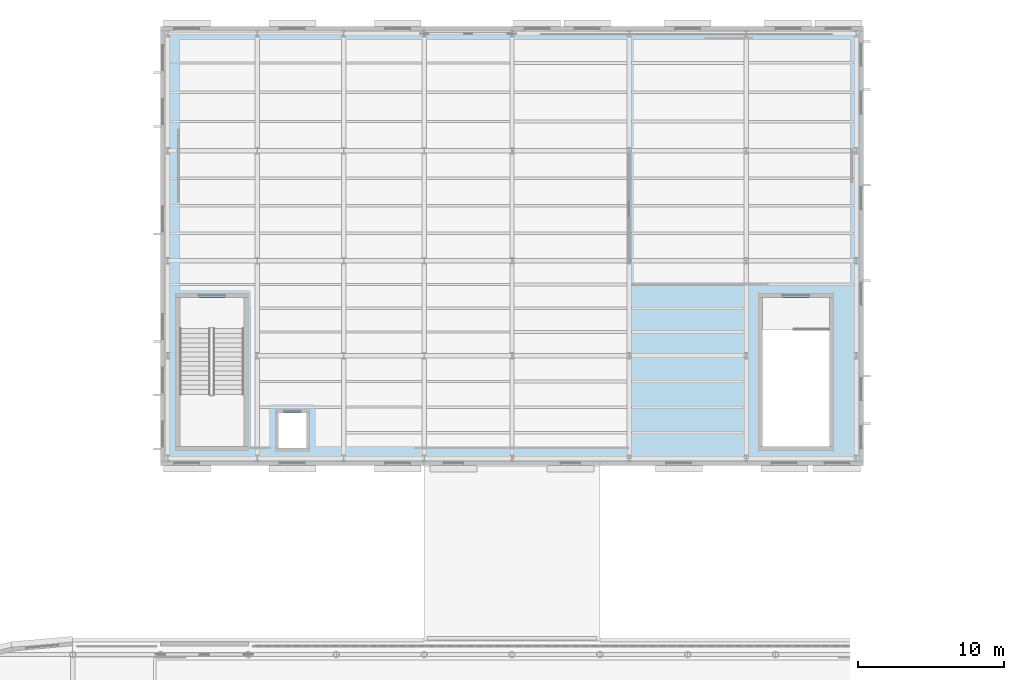
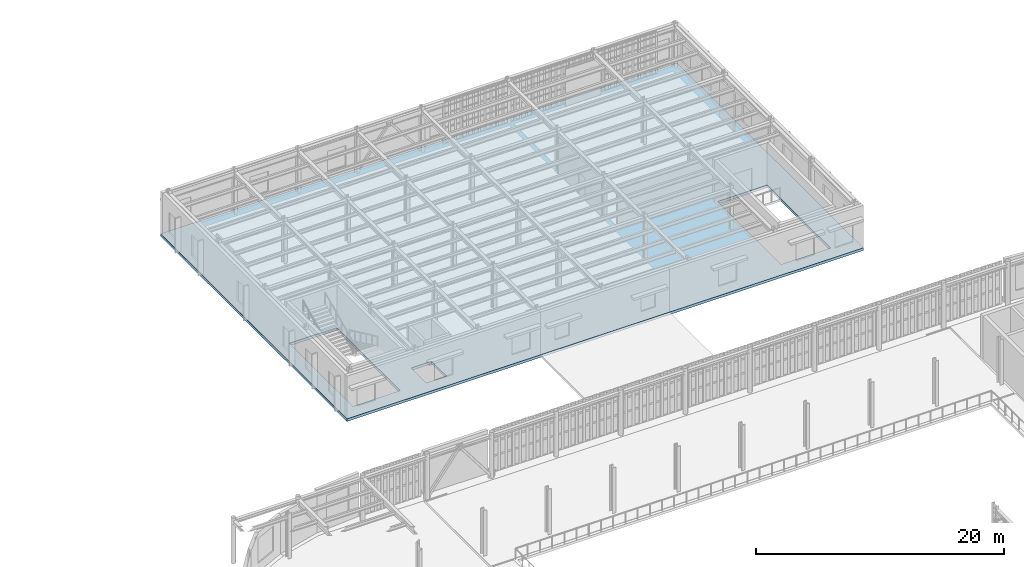
# One storey, part 57 of 91: 1 slab.
"""IFC4 building model written with IfcOpenShell, lengths in metres."""

from ifc_helpers import new_model, si_unit, direction, frame, origin, place, context, subcontext, project, spatial, polyline, outline, extrude, material, layer, layer_set, type_object, element, save


model = new_model("IFC4")

# Units and contexts
model_context = context("Model", 3, precision=1e-05, world=origin(), true_north=direction((0.0, 1.0)))
body_context = subcontext(model_context, "Body", "Model", "MODEL_VIEW")
ifc_project = project(units=[si_unit("LENGTHUNIT", "METRE"), si_unit("AREAUNIT", "SQUARE_METRE"), si_unit("VOLUMEUNIT", "CUBIC_METRE"), si_unit("PLANEANGLEUNIT", "RADIAN"), si_unit("MASSUNIT", "GRAM", prefix="KILO")], contexts=[model_context])

# Site, building, storey
site_placement = place(None, origin())
site = spatial("IfcSite", under=ifc_project, at=site_placement, CompositionType="ELEMENT")
building_placement = place(site_placement, origin())
building = spatial("IfcBuilding", under=site, at=building_placement, Name="Kolvaren Corner Interchange", CompositionType="ELEMENT")
storey_placement = place(building_placement, frame((0.0, 0.0, 6.0)))
storey = spatial("IfcBuildingStorey", under=building, at=storey_placement, Name="L02", CompositionType="ELEMENT", Elevation=6.0)

# Slab
ifc_material = material(Name="Concrete C35/45", Category="concrete")
ifc_layer = layer(ifc_material, 0.260009765625)
ifc_layer_set = layer_set([ifc_layer], Name="Concrete C35/45")
slab_type = type_object("IfcSlabType", Name="SL-COMP-260", PredefinedType="FLOOR", material=ifc_layer_set)
slab_placement = place(storey_placement, frame((0.0, 0.0, -0.260009765625)))
element("IfcSlab", 1, at=slab_placement, inside=storey, type_object=slab_type, Name="Level 02 Cycle Hub Mezzanine Floor Slab", PredefinedType="FLOOR", context=body_context, shape_type="SweptSolid", body=[
    extrude(outline(polyline([(114.0, 114.0), (66.0, 114.0), (66.0, 84.0), (114.0, 84.0), (114.0, 114.0)]), holes=[polyline([(71.699951171875, 85.300048828125), (67.300048828125, 85.300048828125), (67.300048828125, 95.5), (71.699951171875, 95.5), (71.699951171875, 85.300048828125)]), polyline([(107.10009765625, 85.300048828125), (107.10009765625, 95.5), (111.699951171875, 95.5), (111.699951171875, 85.300048828125), (107.10009765625, 85.300048828125)]), polyline([(74.050048828125, 87.60009765625), (75.949951171875, 87.60009765625), (75.949951171875, 85.199951171875), (74.050048828125, 85.199951171875), (74.050048828125, 87.60009765625)])]), origin(), (0.0, 0.0, 1.0), 0.260009765625),
])

save(model, "model.ifc")
